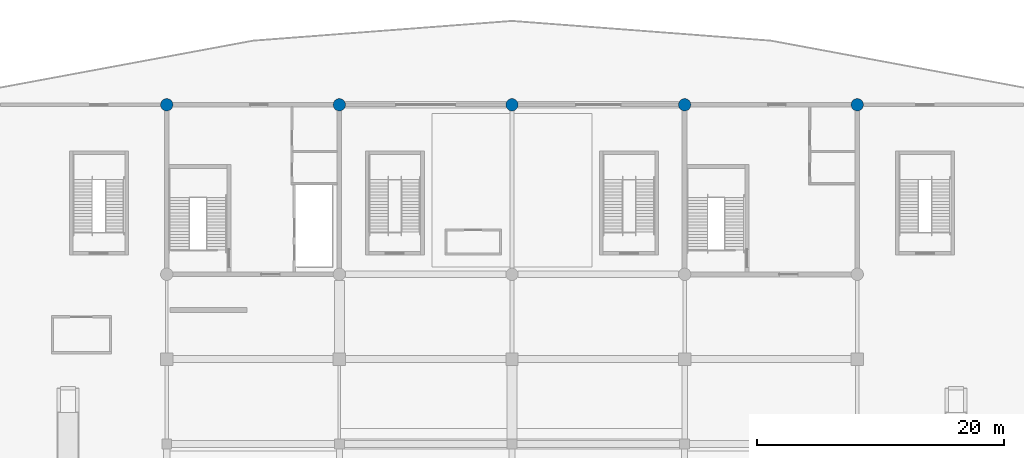
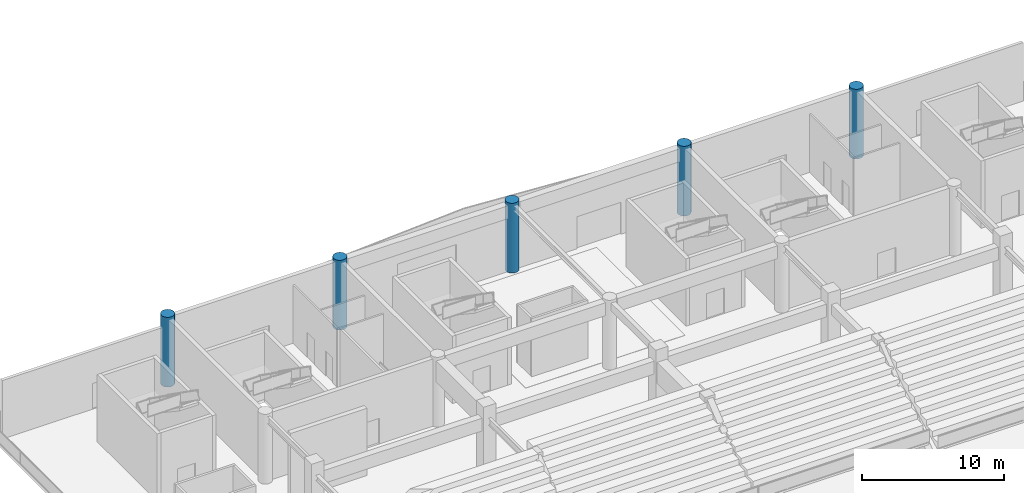
# One storey, part 19 of 73: 5 columns.
"""IFC4 building model written with IfcOpenShell, lengths in metres."""

import ifcopenshell
import ifcopenshell.guid

model = None  # the IFC model being written
_history = None  # IfcOwnerHistory: only IFC2X3 demands one
_inside = {}  # id of a spatial element -> (the spatial element, [elements in it])
_under = {}  # id of a project, library or spatial element -> (it, [spatial elements below it])
_declared = {}  # id of a project -> (the project, [libraries it declares])
_typed = {}  # id of a type object -> (the type object, [elements of that type])
_made_of = {}  # id of a material, layer set ... -> (it, [elements and type objects made of it])


def new_model(schema):
    """Start an empty IFC model of exactly this schema.

    Asked for "IFC4X3", IfcOpenShell would pick the latest addendum, in which some entities
    have other attributes; the version numbers below select the first issue.
    IFC2X3 requires an IfcOwnerHistory on every rooted entity: one is made here for all.
    """
    global model, _history
    if schema == "IFC4X3":
        model = ifcopenshell.file(schema_version=(4, 3, 0, 0))
    else:
        model = ifcopenshell.file(schema=schema)
    _inside.clear()
    _under.clear()
    _declared.clear()
    _typed.clear()
    _made_of.clear()
    _history = None
    if model.schema == "IFC2X3":
        org = make("IfcOrganization", Name="unknown")
        user = make(
            "IfcPersonAndOrganization",
            ThePerson=make("IfcPerson", FamilyName="unknown"),
            TheOrganization=org,
        )
        app = make(
            "IfcApplication",
            ApplicationDeveloper=org,
            Version="unknown",
            ApplicationFullName="unknown",
            ApplicationIdentifier="unknown",
        )
        _history = make(
            "IfcOwnerHistory",
            OwningUser=user,
            OwningApplication=app,
            ChangeAction="ADDED",
            CreationDate=0,
        )
    return model


def make(cls, **values):
    """One entity of the class cls with the attributes given. An attribute that is None is left unset."""
    return model.create_entity(
        cls, **{name: value for name, value in values.items() if value is not None}
    )


def rooted(cls, **values):
    """An entity with a GlobalId (a new one), such as an element, a storey or a relation."""
    return make(cls, GlobalId=ifcopenshell.guid.new(), OwnerHistory=_history, **values)


def si_unit(unit_type, name, prefix=None):
    """IfcSIUnit, for example si_unit("LENGTHUNIT", "METRE", prefix="MILLI")."""
    return make("IfcSIUnit", UnitType=unit_type, Prefix=prefix, Name=name)


def assignment(units):
    """IfcUnitAssignment: the units of a project."""
    return None if units is None else make("IfcUnitAssignment", Units=units)


def point(xyz):
    """IfcCartesianPoint."""
    return None if xyz is None else make("IfcCartesianPoint", Coordinates=xyz)


def direction(xyz):
    """IfcDirection."""
    return None if xyz is None else make("IfcDirection", DirectionRatios=xyz)


def frame(location, z_axis=None, x_axis=None):
    """IfcAxis2Placement3D, a coordinate frame: its origin and axes. An axis left out is left unset."""
    return make(
        "IfcAxis2Placement3D",
        Location=point(location),
        Axis=direction(z_axis),
        RefDirection=direction(x_axis),
    )


def frame_2d(location, x_axis=None):
    """IfcAxis2Placement2D, a coordinate frame in the plane: its origin and x axis."""
    return make(
        "IfcAxis2Placement2D", Location=point(location), RefDirection=direction(x_axis)
    )


def origin():
    """The frame at (0, 0, 0) with its axes left unset."""
    return frame((0.0, 0.0, 0.0))


def origin_2d():
    """The frame at (0, 0) in the plane with its x axis left unset."""
    return frame_2d((0.0, 0.0))


def place(relative_to, where):
    """IfcLocalPlacement: puts the frame where relative to a parent placement (None: the world)."""
    return make(
        "IfcLocalPlacement", PlacementRelTo=relative_to, RelativePlacement=where
    )


def context(
    kind, dimensions, precision=None, world=None, true_north=None, identifier=None
):
    """IfcGeometricRepresentationContext, for example the 3D "Model" context."""
    return make(
        "IfcGeometricRepresentationContext",
        ContextIdentifier=identifier,
        ContextType=kind,
        CoordinateSpaceDimension=dimensions,
        Precision=precision,
        WorldCoordinateSystem=world,
        TrueNorth=true_north,
    )


def subcontext(parent, identifier, kind, view, scale=None):
    """IfcGeometricRepresentationSubContext, for example "Body" below "Model"."""
    return make(
        "IfcGeometricRepresentationSubContext",
        ContextIdentifier=identifier,
        ContextType=kind,
        ParentContext=parent,
        TargetScale=scale,
        TargetView=view,
    )


def project(units=None, contexts=None):
    """IfcProject with its units and contexts."""
    return rooted(
        "IfcProject",
        Name="project",
        RepresentationContexts=contexts,
        UnitsInContext=assignment(units),
    )


def spatial(cls, under=None, at=None, **own):
    """A site, building, storey or space (cls), placed at a placement, below another one or the project."""
    s = rooted(cls, ObjectPlacement=at, **own)
    if under is not None:
        _under.setdefault(under.id(), (under, []))[1].append(s)
    return s


def profile(cls, at=None, kind="AREA", **sizes):
    """A parametric profile (cls). Its sizes go by their IFC names, for example OverallWidth=200.0."""
    return make(cls, ProfileType=kind, Position=at, **sizes)


def circle(**sizes):
    """IfcCircleProfileDef."""
    return profile("IfcCircleProfileDef", **sizes)


def extrude(swept, where, along, depth):
    """IfcExtrudedAreaSolid: the profile swept, set in the frame where, extruded along a direction by depth."""
    return make(
        "IfcExtrudedAreaSolid",
        SweptArea=swept,
        Position=where,
        ExtrudedDirection=direction(along),
        Depth=depth,
    )


def shape(context_of_items, identifier, shape_type, items):
    """IfcShapeRepresentation: the items that make up one representation, for example the "Body"."""
    return make(
        "IfcShapeRepresentation",
        ContextOfItems=context_of_items,
        RepresentationIdentifier=identifier,
        RepresentationType=shape_type,
        Items=items,
    )


def material(Name=None, Category=None):
    """IfcMaterial."""
    return make("IfcMaterial", Name=Name, Category=Category)


def material_profile(
    of_material, cross_section, Name=None, Category=None, Priority=None
):
    """IfcMaterialProfile: a cross section and its material."""
    return make(
        "IfcMaterialProfile",
        Name=Name,
        Material=of_material,
        Profile=cross_section,
        Priority=Priority,
        Category=Category,
    )


def profile_set(profiles, Name=None, composite=None):
    """IfcMaterialProfileSet."""
    return make(
        "IfcMaterialProfileSet",
        Name=Name,
        MaterialProfiles=profiles,
        CompositeProfile=composite,
    )


def made_of(thing, what):
    """Note that an element or type object is made of a material, layer set ...; save() writes the relation."""
    if what is not None:
        _made_of.setdefault(what.id(), (what, []))[1].append(thing)
    return thing


def type_object(cls, material=None, **own):
    """A type object (cls), such as IfcWallType, which elements share."""
    return made_of(rooted(cls, **own), material)


def element(
    cls,
    number,
    at=None,
    inside=None,
    cuts=None,
    type_object=None,
    material=None,
    context=None,
    identifier="Body",
    shape_type=None,
    held_by="IfcProductDefinitionShape",
    body=None,
    shapes=None,
    **own,
):
    """One element of the class cls, such as IfcWall. Its Tag is "e" and its number.

    at: its placement. inside: the storey or other place that contains it. cuts: it is an
    opening in that element (IfcRelVoidsElement). A single representation is given by context,
    identifier, shape_type and body (its items); several are given by shapes. held_by: the class
    of the entity that holds the representations. save() writes the other relations.
    """
    e = rooted(cls, Tag="e%d" % number, ObjectPlacement=at, **own)
    if body is not None:
        shapes = [shape(context, identifier, shape_type, body)]
    if shapes is not None:
        e.Representation = make(held_by, Representations=shapes)
    if inside is not None:
        _inside.setdefault(inside.id(), (inside, []))[1].append(e)
    if cuts is not None:
        rooted(
            "IfcRelVoidsElement", RelatingBuildingElement=cuts, RelatedOpeningElement=e
        )
    if type_object is not None:
        _typed.setdefault(type_object.id(), (type_object, []))[1].append(e)
    return made_of(e, material)


def aggregate(whole, parts):
    """IfcRelAggregates: a whole, such as a stair, and the parts it consists of."""
    return rooted("IfcRelAggregates", RelatingObject=whole, RelatedObjects=parts)


def save(model, path):
    """Write the relations noted so far, then the file.

    IfcRelAggregates (storeys below a building ...), IfcRelContainedInSpatialStructure (elements
    in a storey), IfcRelDefinesByType, IfcRelAssociatesMaterial and IfcRelDeclares: one each for
    every whole, place, type object, material and project.
    """
    for whole, parts in _under.values():
        aggregate(whole, parts)
    for where, things in _inside.values():
        rooted(
            "IfcRelContainedInSpatialStructure",
            RelatedElements=things,
            RelatingStructure=where,
        )
    for kind, things in _typed.values():
        rooted("IfcRelDefinesByType", RelatedObjects=things, RelatingType=kind)
    for what, things in _made_of.values():
        rooted("IfcRelAssociatesMaterial", RelatedObjects=things, RelatingMaterial=what)
    for by, libraries in _declared.values():
        rooted("IfcRelDeclares", RelatingContext=by, RelatedDefinitions=libraries)
    model.write(path)


model = new_model("IFC4")

# Units and contexts
model_context = context("Model", 3, precision=1e-05, world=origin(), true_north=direction((0.0, 1.0)))
body_context = subcontext(model_context, "Body", "Model", "MODEL_VIEW")
ifc_project = project(units=[si_unit("LENGTHUNIT", "METRE"), si_unit("AREAUNIT", "SQUARE_METRE"), si_unit("VOLUMEUNIT", "CUBIC_METRE"), si_unit("PLANEANGLEUNIT", "RADIAN"), si_unit("MASSUNIT", "GRAM", prefix="KILO")], contexts=[model_context])

# Site, building, storey
site_placement = place(None, origin())
site = spatial("IfcSite", under=ifc_project, at=site_placement, CompositionType="ELEMENT")
building_placement = place(site_placement, origin())
building = spatial("IfcBuilding", under=site, at=building_placement, Name="Linyun Crest Stadium", CompositionType="ELEMENT")
storey_placement = place(building_placement, origin())
storey = spatial("IfcBuildingStorey", under=building, at=storey_placement, Name="L01", CompositionType="ELEMENT", Elevation=0.0)

# Columns
ifc_material = material(Name="Concrete C50", Category="concrete")
ifc_material_profile = material_profile(ifc_material, circle(Radius=0.5, at=origin_2d()), Name="RC D1000")
ifc_profile_set = profile_set([ifc_material_profile], Name="Concrete C50")
column_type = type_object("IfcColumnType", Name="C09", PredefinedType="COLUMN", material=ifc_profile_set)
for number, where, z_axis, x_axis, name in (
    (1, (-28.0, 105.25, 0.0), (0.0, 0.0, 1.0), (1.0, 0.0, 0.0), "Column C09 L01 585"),
    (2, (-14.0, 105.25, 0.0), (0.0, 0.0, 1.0), (1.0, 0.0, 0.0), "Column C09 L01 606"),
    (3, (0.0, 105.25, 0.0), (0.0, 0.0, 1.0), (1.0, 0.0, 0.0), "Column C09 L01 627"),
    (4, (14.0, 105.25, 0.0), (0.0, 0.0, 1.0), (1.0, 0.0, 0.0), "Column C09 L01 648"),
    (5, (28.0, 105.25, 0.0), (0.0, 0.0, 1.0), (1.0, 0.0, 0.0), "Column C09 L01 669"),
):
    element("IfcColumn", number, at=place(storey_placement, frame(where, z_axis=z_axis, x_axis=x_axis)), inside=storey, type_object=column_type, Name=name, PredefinedType="COLUMN", context=body_context, shape_type="SweptSolid", body=[
        extrude(circle(Radius=0.5, at=origin_2d()), origin(), (0.0, 0.0, 1.0), 5.998046875),
    ])

save(model, "model.ifc")
